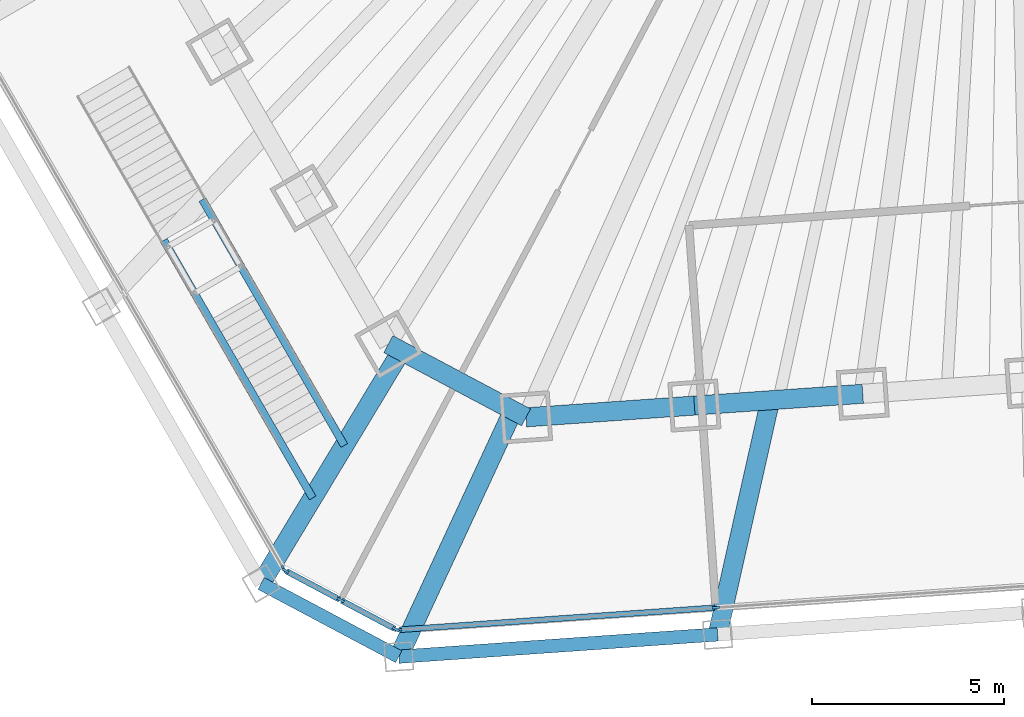
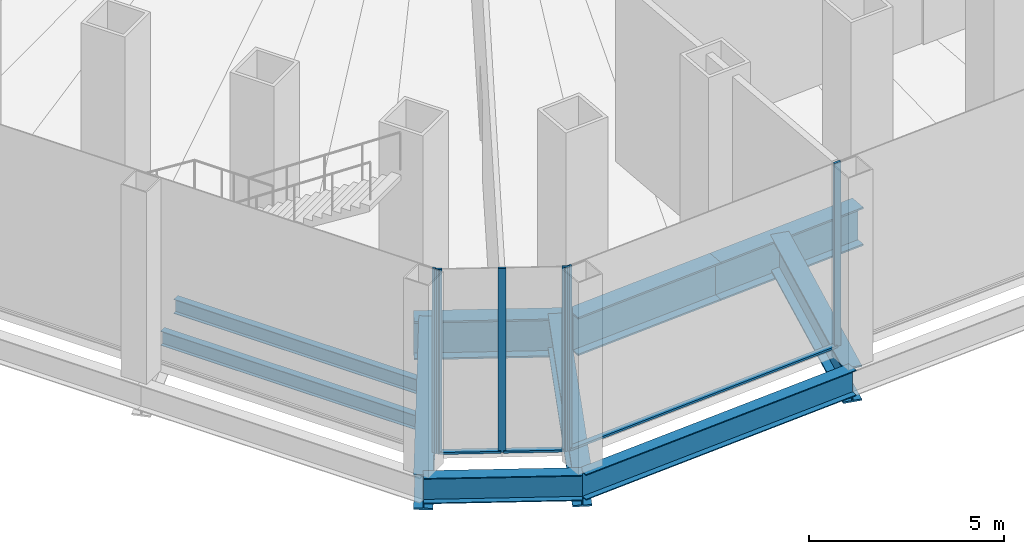
# One storey, part 3 of 23: 10 beams, 9 members, 3 elements without a shape of their own.
"""IFC4 building model written with IfcOpenShell, lengths in metres."""

from ifc_helpers import new_model, si_unit, direction, frame, origin, origin_2d, place, context, subcontext, project, spatial, rectangle, i_section, extrude, material, material_profile, profile_set, type_object, element, aggregate, save


model = new_model("IFC4")

# Units and contexts
model_context = context("Model", 3, precision=1e-05, world=origin(), true_north=direction((0.0, 1.0)))
body_context = subcontext(model_context, "Body", "Model", "MODEL_VIEW")
ifc_project = project(units=[si_unit("LENGTHUNIT", "METRE"), si_unit("AREAUNIT", "SQUARE_METRE"), si_unit("VOLUMEUNIT", "CUBIC_METRE"), si_unit("PLANEANGLEUNIT", "RADIAN"), si_unit("MASSUNIT", "GRAM", prefix="KILO")], contexts=[model_context])

# Site, building, storey
site_placement = place(None, origin())
site = spatial("IfcSite", under=ifc_project, at=site_placement, CompositionType="ELEMENT")
building_placement = place(site_placement, origin())
building = spatial("IfcBuilding", under=site, at=building_placement, Name="Qingtian Harvest Tower", CompositionType="ELEMENT")
storey_placement = place(building_placement, frame((0.0, 0.0, 6.0)))
storey = spatial("IfcBuildingStorey", under=building, at=storey_placement, Name="L01", CompositionType="ELEMENT", Elevation=6.0)

# Beams
ifc_material_1 = material(Name="Steel SM570MC", Category="steel")
ifc_material_profile_1 = material_profile(ifc_material_1, i_section(OverallWidth=0.5, OverallDepth=1.10009765625, WebThickness=0.02490234375, FlangeThickness=0.050048828125, at=origin_2d()), Name="H1100x500x25x50")
ifc_profile_set_1 = profile_set([ifc_material_profile_1], Name="Steel SM570MC")
beam_type_1 = type_object("IfcBeamType", Name="Floor beam FB6 H1100x500x25x50", PredefinedType="BEAM", material=ifc_profile_set_1)
beam_1_placement = place(storey_placement, frame((-7.552978515625, -33.608642578125, -0.800048828125), z_axis=(0.219270091225, 0.975664197916, 0.0), x_axis=(-0.975664197916, 0.219270091225, 0.0)))
element("IfcBeam", 1, at=beam_1_placement, inside=storey, type_object=beam_type_1, Name="Podium floor beam FB6 S3", PredefinedType="BEAM", context=body_context, shape_type="SweptSolid", body=[
    extrude(i_section(OverallWidth=0.5, OverallDepth=1.10009765625, WebThickness=0.02490234375, FlangeThickness=0.050048828125, at=origin_2d()), origin(), (0.0, 0.0, 1.0), 6.262939453125),
])
for number, where, z_axis, x_axis, name in (
    (2, (-15.874267578125, -34.190673828125, -0.800048828125), (0.421100170237, 0.907014138052, 0.0), (-0.907014138052, 0.421100170237, 0.0), "Podium floor beam FB6 S4"),
    (3, (-19.468505859375, -32.279541015625, -0.800048828125), (0.516465499259, 0.856307998371, 0.0), (-0.856307998371, 0.516465499259, 0.0), "Podium floor beam FB6 SW0"),
):
    element("IfcBeam", number, at=place(storey_placement, frame(where, z_axis=z_axis, x_axis=x_axis)), inside=storey, type_object=beam_type_1, Name=name, PredefinedType="BEAM", context=body_context, shape_type="SweptSolid", body=[
        extrude(i_section(OverallWidth=0.5, OverallDepth=1.10009765625, WebThickness=0.02490234375, FlangeThickness=0.050048828125, at=origin_2d()), origin(), (0.0, 0.0, 1.0), 7.08544921875),
    ])

# Curtain wall, members
ifc_material_2 = material(Name="Bronze-anodised aluminium curtain wall", Category="aluminium")
curtain_wall_type = type_object("IfcCurtainWallType", Name="Curtain wall CW1 podium shopfront", PredefinedType="USERDEFINED", material=ifc_material_2)
curtain_wall_1_placement = place(storey_placement, origin())
curtain_wall_1 = element("IfcCurtainWall", 4, at=curtain_wall_1_placement, inside=storey, type_object=curtain_wall_type, Name="Curtain wall CW1 L01 S0-3", ObjectType="RECESSED CURTAIN WALL", PredefinedType="USERDEFINED")
ifc_material_3 = material(Name="Bronze-anodised aluminium mullion", Category="aluminium")
ifc_material_profile_2 = material_profile(ifc_material_3, rectangle(XDim=0.06494140625, YDim=0.199951171875, at=origin_2d()), Name="AL 65x200")
ifc_profile_set_2 = profile_set([ifc_material_profile_2], Name="Bronze-anodised aluminium mullion")
member_type_1 = type_object("IfcMemberType", Name="Mullion CWM 65x200", PredefinedType="MULLION", material=ifc_profile_set_2)
member_1_placement = place(storey_placement, frame((-7.601806640625, -32.910400390625, 0.0), z_axis=(0.0, 0.0, 1.0), x_axis=(0.069756473744, -0.99756405026, 0.0)))
member_1 = element("IfcMember", 5, at=member_1_placement, type_object=member_type_1, Name="CW1 mullion 4", PredefinedType="MULLION", context=body_context, shape_type="SweptSolid", body=[
    extrude(rectangle(XDim=0.06494140625, YDim=0.199951171875, at=origin_2d()), origin(), (0.0, 0.0, 1.0), 5.75),
])
member_2_placement = place(storey_placement, frame((-15.890869140625, -33.489990234375, 0.0), z_axis=(0.0, 0.0, 1.0), x_axis=(0.069756473744, -0.99756405026, 0.0)))
member_2 = element("IfcMember", 6, at=member_2_placement, type_object=member_type_1, Name="CW1 mullion 5", PredefinedType="MULLION", context=body_context, shape_type="SweptSolid", body=[
    extrude(rectangle(XDim=0.06494140625, YDim=0.199951171875, at=origin_2d()), origin(), (0.0, 0.0, 1.0), 5.75),
])

curtain_wall_2_placement = place(storey_placement, origin())
curtain_wall_2 = element("IfcCurtainWall", 7, at=curtain_wall_2_placement, inside=storey, type_object=curtain_wall_type, Name="Curtain wall CW1 L01 SC", ObjectType="RECESSED CURTAIN WALL", PredefinedType="USERDEFINED")
member_3_placement = place(storey_placement, frame((-15.951904296875, -33.47705078125, 0.0), z_axis=(0.0, 0.0, 1.0), x_axis=(-0.469471562786, -0.882947592859, 0.0)))
member_3 = element("IfcMember", 8, at=member_3_placement, type_object=member_type_1, Name="CW1 mullion 1", PredefinedType="MULLION", context=body_context, shape_type="SweptSolid", body=[
    extrude(rectangle(XDim=0.06494140625, YDim=0.199951171875, at=origin_2d()), origin(), (0.0, 0.0, 1.0), 5.75),
])
member_4_placement = place(storey_placement, frame((-17.392822265625, -32.7109375, 0.0), z_axis=(0.0, 0.0, 1.0), x_axis=(-0.469471562786, -0.882947592859, 0.0)))
member_4 = element("IfcMember", 9, at=member_4_placement, type_object=member_type_1, Name="CW1 mullion 2", PredefinedType="MULLION", context=body_context, shape_type="SweptSolid", body=[
    extrude(rectangle(XDim=0.06494140625, YDim=0.199951171875, at=origin_2d()), origin(), (0.0, 0.0, 1.0), 5.75),
])
member_5_placement = place(storey_placement, frame((-18.83349609375, -31.94482421875, 0.0), z_axis=(0.0, 0.0, 1.0), x_axis=(-0.469471562786, -0.882947592859, 0.0)))
member_5 = element("IfcMember", 10, at=member_5_placement, type_object=member_type_1, Name="CW1 mullion 3", PredefinedType="MULLION", context=body_context, shape_type="SweptSolid", body=[
    extrude(rectangle(XDim=0.06494140625, YDim=0.199951171875, at=origin_2d()), origin(), (0.0, 0.0, 1.0), 5.75),
])

# Curtain wall, member
curtain_wall_3_placement = place(storey_placement, origin())
curtain_wall_3 = element("IfcCurtainWall", 11, at=curtain_wall_3_placement, inside=storey, type_object=curtain_wall_type, Name="Curtain wall CW1 L01 SW0-1", ObjectType="RECESSED CURTAIN WALL", PredefinedType="USERDEFINED")
member_6_placement = place(storey_placement, frame((-18.87841796875, -31.9013671875, 0.0), z_axis=(0.0, 0.0, 1.0), x_axis=(-0.866025403784, -0.5, 0.0)))
member_6 = element("IfcMember", 12, at=member_6_placement, type_object=member_type_1, Name="CW1 mullion 1", PredefinedType="MULLION", context=body_context, shape_type="SweptSolid", body=[
    extrude(rectangle(XDim=0.06494140625, YDim=0.199951171875, at=origin_2d()), origin(), (0.0, 0.0, 1.0), 5.75),
])
aggregate(curtain_wall_3, [member_6])

# Beams
ifc_material_4 = material(Name="Steel SN490B", Category="steel")
ifc_material_profile_3 = material_profile(ifc_material_4, i_section(OverallWidth=0.35009765625, OverallDepth=0.800048828125, WebThickness=0.01611328125, FlangeThickness=0.028076171875, at=origin_2d()), Name="H800x350x16x28")
ifc_profile_set_3 = profile_set([ifc_material_profile_3], Name="Steel SN490B")
beam_type_2 = type_object("IfcBeamType", Name="Podium beam PB1 H800x350x16x28", PredefinedType="BEAM", material=ifc_profile_set_3)
beam_2_placement = place(storey_placement, frame((-7.552978515625, -33.608642578125, -0.64990234375), z_axis=(-0.997562798497, -0.06977437248, 0.0), x_axis=(0.06977437248, -0.997562798497, 0.0)))
element("IfcBeam", 13, at=beam_2_placement, inside=storey, type_object=beam_type_2, Name="Podium edge beam PB1 S3", PredefinedType="BEAM", context=body_context, shape_type="SweptSolid", body=[
    extrude(i_section(OverallWidth=0.35009765625, OverallDepth=0.800048828125, WebThickness=0.01611328125, FlangeThickness=0.028076171875, at=origin_2d()), origin(), (0.0, 0.0, 1.0), 8.341552734375),
])
beam_3_placement = place(storey_placement, frame((-15.874267578125, -34.190673828125, -0.64990234375), z_axis=(-0.882943273379, 0.469479686456, 0.0), x_axis=(-0.469479686456, -0.882943273379, 0.0)))
element("IfcBeam", 14, at=beam_3_placement, inside=storey, type_object=beam_type_2, Name="Podium edge beam PB1 S4", PredefinedType="BEAM", context=body_context, shape_type="SweptSolid", body=[
    extrude(i_section(OverallWidth=0.35009765625, OverallDepth=0.800048828125, WebThickness=0.01611328125, FlangeThickness=0.028076171875, at=origin_2d()), origin(), (0.0, 0.0, 1.0), 4.07080078125),
])
ifc_material_5 = material(Name="Steel SM570MC", Category="steel")
ifc_material_profile_4 = material_profile(ifc_material_5, i_section(OverallWidth=0.5, OverallDepth=1.199951171875, WebThickness=0.02490234375, FlangeThickness=0.050048828125, at=origin_2d()), Name="H1200x500x25x50")
ifc_profile_set_4 = profile_set([ifc_material_profile_4], Name="Steel SM570MC")
beam_type_3 = type_object("IfcBeamType", Name="Spandrel beam SB1 H1200x500x25x50", PredefinedType="SPANDREL", material=ifc_profile_set_4)
for number, where, z_axis, x_axis, name in (
    (15, (-3.76513671875, -27.3291015625, -0.85009765625), (-0.997562016486, -0.069785551967, 0.0), (0.069785551967, -0.997562016486, 0.0), "Spandrel SB1 S4"),
    (16, (-8.158935546875, -27.636474609375, -0.85009765625), (-0.997565873714, -0.069730392239, 0.0), (0.069730392239, -0.997565873714, 0.0), "Spandrel SB1 S5"),
):
    element("IfcBeam", number, at=place(storey_placement, frame(where, z_axis=z_axis, x_axis=x_axis)), inside=storey, type_object=beam_type_3, Name=name, PredefinedType="SPANDREL", context=body_context, shape_type="SweptSolid", body=[
        extrude(i_section(OverallWidth=0.5, OverallDepth=1.199951171875, WebThickness=0.02490234375, FlangeThickness=0.050048828125, at=origin_2d()), origin(), (0.0, 0.0, 1.0), 4.404541015625),
    ])
beam_4_placement = place(storey_placement, frame((-12.552734375, -27.943603515625, -0.85009765625), z_axis=(-0.882968133669, 0.469432929101, 0.0), x_axis=(-0.469432929101, -0.882968133669, 0.0)))
element("IfcBeam", 17, at=beam_4_placement, inside=storey, type_object=beam_type_3, Name="Spandrel SB1 SC", PredefinedType="SPANDREL", context=body_context, shape_type="SweptSolid", body=[
    extrude(i_section(OverallWidth=0.5, OverallDepth=1.199951171875, WebThickness=0.02490234375, FlangeThickness=0.050048828125, at=origin_2d()), origin(), (0.0, 0.0, 1.0), 4.070556640625),
])
ifc_material_6 = material(Name="Steel SN490B", Category="steel")
ifc_material_profile_5 = material_profile(ifc_material_6, i_section(OverallWidth=0.199951171875, OverallDepth=0.449951171875, WebThickness=0.009033203125, FlangeThickness=0.013916015625, at=origin_2d()), Name="H450x200x9x14")
ifc_profile_set_5 = profile_set([ifc_material_profile_5], Name="Steel SN490B")
beam_type_4 = type_object("IfcBeamType", Name="Stair support beam SSB1 H450x200x9x14", PredefinedType="BEAM", material=ifc_profile_set_5)
beam_5_placement = place(storey_placement, frame((-22.0048828125, -23.322998046875, -0.47509765625), z_axis=(0.500010945904, -0.866019084071, 0.0), x_axis=(0.866019084071, 0.500010945904, 0.0)))
element("IfcBeam", 18, at=beam_5_placement, inside=storey, type_object=beam_type_4, Name="Stair support beam SSB1 FS4 L", PredefinedType="BEAM", context=body_context, shape_type="SweptSolid", body=[
    extrude(i_section(OverallWidth=0.199951171875, OverallDepth=0.449951171875, WebThickness=0.009033203125, FlangeThickness=0.013916015625, at=origin_2d()), origin(), (0.0, 0.0, 1.0), 7.764892578125),
])
beam_6_placement = place(storey_placement, frame((-21.001953125, -22.260009765625, -0.47509765625), z_axis=(0.500000957966, -0.866024850702, 0.0), x_axis=(0.866024850702, 0.500000957966, 0.0)))
element("IfcBeam", 19, at=beam_6_placement, inside=storey, type_object=beam_type_4, Name="Stair support beam SSB1 FS4 R", PredefinedType="BEAM", context=body_context, shape_type="SweptSolid", body=[
    extrude(i_section(OverallWidth=0.199951171875, OverallDepth=0.449951171875, WebThickness=0.009033203125, FlangeThickness=0.013916015625, at=origin_2d()), origin(), (0.0, 0.0, 1.0), 7.4111328125),
])

# Member
ifc_material_7 = material(Name="Bronze-anodised aluminium transom", Category="aluminium")
ifc_material_profile_6 = material_profile(ifc_material_7, rectangle(XDim=0.14990234375, YDim=0.06494140625, at=origin_2d()), Name="AL 65x150")
ifc_profile_set_6 = profile_set([ifc_material_profile_6], Name="Bronze-anodised aluminium transom")
member_type_2 = type_object("IfcMemberType", Name="Transom CWT 65x150", PredefinedType="USERDEFINED", material=ifc_profile_set_6)
member_7_placement = place(storey_placement, frame((-7.634033203125, -32.91259765625, 0.032470703125), z_axis=(-0.997563276455, -0.069767538793, 0.0), x_axis=(0.069767538793, -0.997563276455, 0.0)))
member_7 = element("IfcMember", 20, at=member_7_placement, type_object=member_type_2, Name="CW1 transom 4.1", ObjectType="TRANSOM", PredefinedType="USERDEFINED", context=body_context, shape_type="SweptSolid", body=[
    extrude(rectangle(XDim=0.14990234375, YDim=0.06494140625, at=origin_2d()), origin(), (0.0, 0.0, 1.0), 8.244384765625),
])

aggregate(curtain_wall_1, [member_1, member_2, member_7])

member_8_placement = place(storey_placement, frame((-15.98046875, -33.4619140625, 0.032470703125), z_axis=(-0.882960338349, 0.46944759122, 0.0), x_axis=(-0.46944759122, -0.882960338349, 0.0)))
member_8 = element("IfcMember", 21, at=member_8_placement, type_object=member_type_2, Name="CW1 transom 1.1", ObjectType="TRANSOM", PredefinedType="USERDEFINED", context=body_context, shape_type="SweptSolid", body=[
    extrude(rectangle(XDim=0.14990234375, YDim=0.06494140625, at=origin_2d()), origin(), (0.0, 0.0, 1.0), 1.56689453125),
])

member_9_placement = place(storey_placement, frame((-17.42138671875, -32.69580078125, 0.032470703125), z_axis=(-0.882960338349, 0.46944759122, 0.0), x_axis=(-0.46944759122, -0.882960338349, 0.0)))
member_9 = element("IfcMember", 22, at=member_9_placement, type_object=member_type_2, Name="CW1 transom 2.1", ObjectType="TRANSOM", PredefinedType="USERDEFINED", context=body_context, shape_type="SweptSolid", body=[
    extrude(rectangle(XDim=0.14990234375, YDim=0.06494140625, at=origin_2d()), origin(), (0.0, 0.0, 1.0), 1.56689453125),
])

aggregate(curtain_wall_2, [member_3, member_4, member_5, member_8, member_9])

save(model, "model.ifc")
